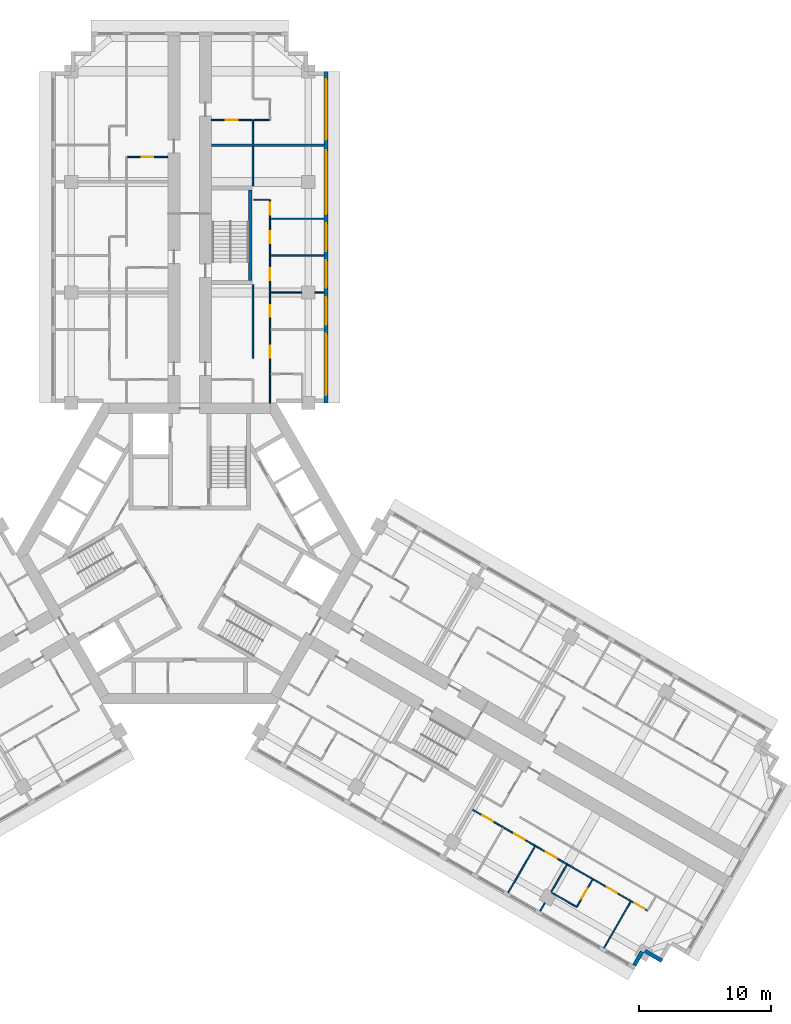
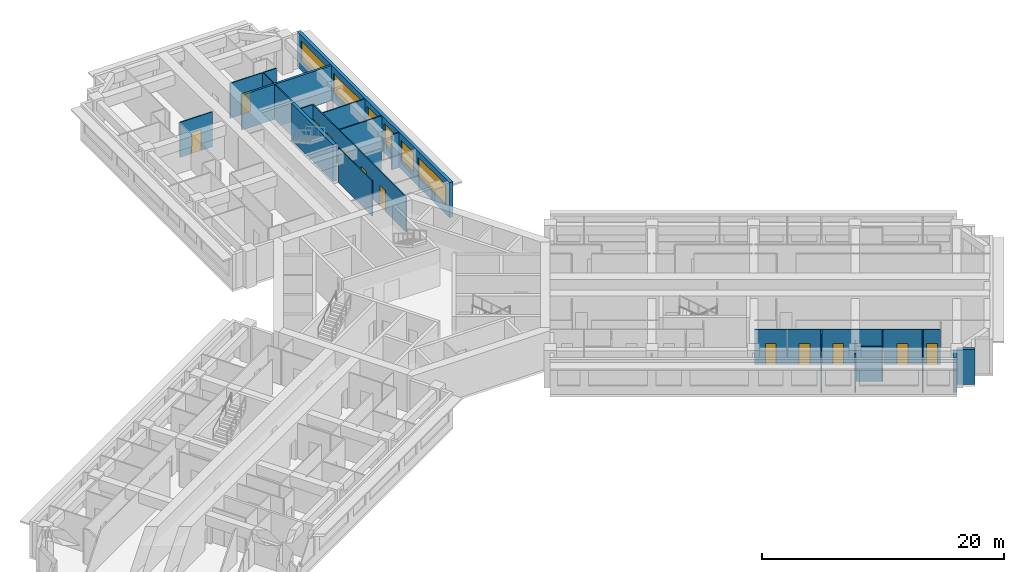
# One storey, part 10 of 14: 24 walls, 13 doors, 6 windows, 19 openings.
"""IFC4 building model written with IfcOpenShell, lengths in metres."""

from ifc_helpers import new_model, si_unit, direction, frame, frame_2d, origin, place, context, subcontext, project, spatial, rectangle, extrude, material, layer, layer_set, type_object, element, fill, save


model = new_model("IFC4")

# Units and contexts
model_context = context("Model", 3, precision=1e-05, world=origin(), true_north=direction((0.0, 1.0)))
body_context = subcontext(model_context, "Body", "Model", "MODEL_VIEW")
ifc_project = project(units=[si_unit("LENGTHUNIT", "METRE"), si_unit("AREAUNIT", "SQUARE_METRE"), si_unit("VOLUMEUNIT", "CUBIC_METRE"), si_unit("PLANEANGLEUNIT", "RADIAN"), si_unit("MASSUNIT", "GRAM", prefix="KILO")], contexts=[model_context])

# Site, building, storey
site_placement = place(None, origin())
site = spatial("IfcSite", under=ifc_project, at=site_placement, CompositionType="ELEMENT")
building_placement = place(site_placement, origin())
building = spatial("IfcBuilding", under=site, at=building_placement, Name="Impinga Residences", CompositionType="ELEMENT")
storey_placement = place(building_placement, frame((0.0, 0.0, 124.75)))
storey = spatial("IfcBuildingStorey", under=building, at=storey_placement, Name="L30", CompositionType="ELEMENT", Elevation=124.75)

# Wall, openings, windows
ifc_material_1 = material(Name="Terracotta rainscreen on blockwork", Category="masonry")
ifc_layer_1 = layer(ifc_material_1, 0.300048828125)
ifc_layer_set_1 = layer_set([ifc_layer_1], Name="EW1 external wall, terracotta rainscreen on blockwork 300")
wall_type_1 = type_object("IfcWallType", Name="EW1 external wall, terracotta rainscreen on blockwork 300", PredefinedType="SOLIDWALL", material=ifc_layer_set_1)
wall_1_placement = place(storey_placement, frame((10.35009765625, 36.631591796875, 0.0), z_axis=(0.0, 0.0, 1.0), x_axis=(0.0, -1.0, 0.0)))
wall_1 = element("IfcWall", 1, at=wall_1_placement, inside=storey, type_object=wall_type_1, Name="External wall EW1 L30", PredefinedType="SOLIDWALL", context=body_context, shape_type="SweptSolid", body=[
    extrude(rectangle(XDim=25.199951171875, YDim=0.300048828125, at=frame_2d((12.60009765625, 0.0))), origin(), (0.0, 0.0, 1.0), 3.530029296875),
])
opening_1_placement = place(wall_1_placement, frame((0.60009765625, 0.0, 0.89990234375)))
opening_1 = element("IfcOpeningElement", 2, at=opening_1_placement, cuts=wall_1, Name="Opening W3", PredefinedType="OPENING", context=body_context, shape_type="SweptSolid", body=[
    extrude(rectangle(XDim=4.60009765625, YDim=2.050048828125, at=frame_2d((2.300048828125, 1.02490234375))), frame((0.0, 0.159912109375, 0.0), z_axis=(0.0, -1.0, 0.0), x_axis=(1.0, 0.0, 0.0)), (0.0, 0.0, 1.0), 0.320068359375),
])
opening_2_placement = place(wall_1_placement, frame((6.0, 0.0, 0.89990234375)))
opening_2 = element("IfcOpeningElement", 3, at=opening_2_placement, cuts=wall_1, Name="Opening W6", PredefinedType="OPENING", context=body_context, shape_type="SweptSolid", body=[
    extrude(rectangle(XDim=4.85009765625, YDim=2.050048828125, at=frame_2d((2.425048828125, 1.02490234375))), frame((0.0, 0.159912109375, 0.0), z_axis=(0.0, -1.0, 0.0), x_axis=(1.0, 0.0, 0.0)), (0.0, 0.0, 1.0), 0.320068359375),
])
opening_3_placement = place(wall_1_placement, frame((11.550048828125, 0.0, 0.89990234375)))
opening_3 = element("IfcOpeningElement", 4, at=opening_3_placement, cuts=wall_1, Name="Opening W9", PredefinedType="OPENING", context=body_context, shape_type="SweptSolid", body=[
    extrude(rectangle(XDim=2.10009765625, YDim=2.050048828125, at=frame_2d((1.050048828125, 1.02490234375))), frame((0.0, 0.159912109375, 0.0), z_axis=(0.0, -1.0, 0.0), x_axis=(1.0, 0.0, 0.0)), (0.0, 0.0, 1.0), 0.320068359375),
])
opening_4_placement = place(wall_1_placement, frame((14.35009765625, 0.0, 0.89990234375)))
opening_4 = element("IfcOpeningElement", 5, at=opening_4_placement, cuts=wall_1, Name="Opening W9", PredefinedType="OPENING", context=body_context, shape_type="SweptSolid", body=[
    extrude(rectangle(XDim=2.10009765625, YDim=2.050048828125, at=frame_2d((1.050048828125, 1.02490234375))), frame((0.0, 0.159912109375, 0.0), z_axis=(0.0, -1.0, 0.0), x_axis=(1.0, 0.0, 0.0)), (0.0, 0.0, 1.0), 0.320068359375),
])
opening_5_placement = place(wall_1_placement, frame((17.14990234375, 0.0, 0.89990234375)))
opening_5 = element("IfcOpeningElement", 6, at=opening_5_placement, cuts=wall_1, Name="Opening W9", PredefinedType="OPENING", context=body_context, shape_type="SweptSolid", body=[
    extrude(rectangle(XDim=2.10009765625, YDim=2.050048828125, at=frame_2d((1.050048828125, 1.02490234375))), frame((0.0, 0.159912109375, 0.0), z_axis=(0.0, -1.0, 0.0), x_axis=(1.0, 0.0, 0.0)), (0.0, 0.0, 1.0), 0.320068359375),
])
opening_6_placement = place(wall_1_placement, frame((19.949951171875, 0.0, 0.89990234375)))
opening_6 = element("IfcOpeningElement", 7, at=opening_6_placement, cuts=wall_1, Name="Opening W10", PredefinedType="OPENING", context=body_context, shape_type="SweptSolid", body=[
    extrude(rectangle(XDim=4.64990234375, YDim=2.050048828125, at=frame_2d((2.324951171875, 1.02490234375))), frame((0.0, 0.159912109375, 0.0), z_axis=(0.0, -1.0, 0.0), x_axis=(1.0, 0.0, 0.0)), (0.0, 0.0, 1.0), 0.320068359375),
])
ifc_material_2 = material(Name="Aluminium window, clear double glazing", Category="aluminium")
window_type_1 = type_object("IfcWindowType", Name="W10 ribbon window 4650x2050", PartitioningType="SINGLE_PANEL", PredefinedType="WINDOW", material=ifc_material_2)
window_1_placement = place(opening_6_placement, origin())
window_1 = element("IfcWindow", 8, at=window_1_placement, inside=storey, type_object=window_type_1, Name="Window L30", OverallHeight=2.050048828125, OverallWidth=4.64990234375, PartitioningType="SINGLE_PANEL", PredefinedType="WINDOW", context=body_context, shape_type="SweptSolid", body=[
    extrude(rectangle(XDim=4.64990234375, YDim=2.050048828125, at=frame_2d((2.324951171875, 1.02490234375))), frame((0.0, 0.030029296875, 0.0), z_axis=(0.0, -1.0, 0.0), x_axis=(1.0, 0.0, 0.0)), (0.0, 0.0, 1.0), 0.06005859375),
])
fill(opening_6, window_1)
window_type_2 = type_object("IfcWindowType", Name="W3 ribbon window 4600x2050", PartitioningType="SINGLE_PANEL", PredefinedType="WINDOW", material=ifc_material_2)
window_2_placement = place(opening_1_placement, origin())
window_2 = element("IfcWindow", 9, at=window_2_placement, inside=storey, type_object=window_type_2, Name="Window L30", OverallHeight=2.050048828125, OverallWidth=4.60009765625, PartitioningType="SINGLE_PANEL", PredefinedType="WINDOW", context=body_context, shape_type="SweptSolid", body=[
    extrude(rectangle(XDim=4.60009765625, YDim=2.050048828125, at=frame_2d((2.300048828125, 1.02490234375))), frame((0.0, 0.030029296875, 0.0), z_axis=(0.0, -1.0, 0.0), x_axis=(1.0, 0.0, 0.0)), (0.0, 0.0, 1.0), 0.06005859375),
])
fill(opening_1, window_2)
window_type_3 = type_object("IfcWindowType", Name="W6 ribbon window 4850x2050", PartitioningType="SINGLE_PANEL", PredefinedType="WINDOW", material=ifc_material_2)
window_3_placement = place(opening_2_placement, origin())
window_3 = element("IfcWindow", 10, at=window_3_placement, inside=storey, type_object=window_type_3, Name="Window L30", OverallHeight=2.050048828125, OverallWidth=4.85009765625, PartitioningType="SINGLE_PANEL", PredefinedType="WINDOW", context=body_context, shape_type="SweptSolid", body=[
    extrude(rectangle(XDim=4.85009765625, YDim=2.050048828125, at=frame_2d((2.425048828125, 1.02490234375))), frame((0.0, 0.030029296875, 0.0), z_axis=(0.0, -1.0, 0.0), x_axis=(1.0, 0.0, 0.0)), (0.0, 0.0, 1.0), 0.06005859375),
])
fill(opening_2, window_3)
window_type_4 = type_object("IfcWindowType", Name="W9 ribbon window 2100x2050", PartitioningType="SINGLE_PANEL", PredefinedType="WINDOW", material=ifc_material_2)
window_4_placement = place(opening_3_placement, origin())
window_4 = element("IfcWindow", 11, at=window_4_placement, inside=storey, type_object=window_type_4, Name="Window L30", OverallHeight=2.050048828125, OverallWidth=2.10009765625, PartitioningType="SINGLE_PANEL", PredefinedType="WINDOW", context=body_context, shape_type="SweptSolid", body=[
    extrude(rectangle(XDim=2.10009765625, YDim=2.050048828125, at=frame_2d((1.050048828125, 1.02490234375))), frame((0.0, 0.030029296875, 0.0), z_axis=(0.0, -1.0, 0.0), x_axis=(1.0, 0.0, 0.0)), (0.0, 0.0, 1.0), 0.06005859375),
])
fill(opening_3, window_4)
window_5_placement = place(opening_4_placement, origin())
window_5 = element("IfcWindow", 12, at=window_5_placement, inside=storey, type_object=window_type_4, Name="Window L30", OverallHeight=2.050048828125, OverallWidth=2.10009765625, PartitioningType="SINGLE_PANEL", PredefinedType="WINDOW", context=body_context, shape_type="SweptSolid", body=[
    extrude(rectangle(XDim=2.10009765625, YDim=2.050048828125, at=frame_2d((1.050048828125, 1.02490234375))), frame((0.0, 0.030029296875, 0.0), z_axis=(0.0, -1.0, 0.0), x_axis=(1.0, 0.0, 0.0)), (0.0, 0.0, 1.0), 0.06005859375),
])
fill(opening_4, window_5)
window_6_placement = place(opening_5_placement, origin())
window_6 = element("IfcWindow", 13, at=window_6_placement, inside=storey, type_object=window_type_4, Name="Window L30", OverallHeight=2.050048828125, OverallWidth=2.10009765625, PartitioningType="SINGLE_PANEL", PredefinedType="WINDOW", context=body_context, shape_type="SweptSolid", body=[
    extrude(rectangle(XDim=2.10009765625, YDim=2.050048828125, at=frame_2d((1.050048828125, 1.02490234375))), frame((0.0, 0.030029296875, 0.0), z_axis=(0.0, -1.0, 0.0), x_axis=(1.0, 0.0, 0.0)), (0.0, 0.0, 1.0), 0.06005859375),
])
fill(opening_5, window_6)

# Walls
wall_2_placement = place(storey_placement, frame((35.87255859375, -30.93017578125, 0.0), z_axis=(0.0, 0.0, 1.0), x_axis=(-0.866031096941, 0.499990139034, 0.0)))
element("IfcWall", 14, at=wall_2_placement, inside=storey, type_object=wall_type_1, Name="External wall EW1 L30", PredefinedType="SOLIDWALL", context=body_context, shape_type="SweptSolid", body=[
    extrude(rectangle(XDim=1.5, YDim=0.300048828125, at=frame_2d((0.75, 0.0))), origin(), (0.0, 0.0, 1.0), 3.530029296875),
])
wall_3_placement = place(storey_placement, frame((34.365966796875, -30.2392578125, 0.0), z_axis=(0.0, 0.0, 1.0), x_axis=(-0.499940577336, -0.866059708757, 0.0)))
element("IfcWall", 15, at=wall_3_placement, inside=storey, type_object=wall_type_1, Name="External wall EW1 L30", PredefinedType="SOLIDWALL", context=body_context, shape_type="SweptSolid", body=[
    extrude(rectangle(XDim=1.195068359375, YDim=0.300048828125, at=frame_2d((0.59765625, 0.0))), origin(), (0.0, 0.0, 1.0), 3.530029296875),
])

# Wall, opening, door
ifc_material_3 = material(Name="Gypsum board on steel studs", Category="steel")
ifc_layer_2 = layer(ifc_material_3, 0.10009765625)
ifc_layer_set_2 = layer_set([ifc_layer_2], Name="Gypsum board on steel studs")
wall_type_2 = type_object("IfcWallType", Name="IP1 partition 100", PredefinedType="PARTITIONING", material=ifc_layer_set_2)
wall_4_placement = place(storey_placement, frame((-1.64990234375, 30.131591796875, 0.0), z_axis=(0.0, 0.0, 1.0), x_axis=(-1.0, 0.0, 0.0)))
wall_4 = element("IfcWall", 16, at=wall_4_placement, inside=storey, type_object=wall_type_2, Name="Partition L30-NA3:IB1", PredefinedType="PARTITIONING", context=body_context, shape_type="SweptSolid", body=[
    extrude(rectangle(XDim=3.10009765625, YDim=0.10009765625, at=frame_2d((1.550048828125, 0.0))), origin(), (0.0, 0.0, 1.0), 3.530029296875),
])
opening_7_placement = place(wall_4_placement, frame((1.10009765625, 0.0, 0.0)))
opening_7 = element("IfcOpeningElement", 17, at=opening_7_placement, cuts=wall_4, Name="Opening D2", PredefinedType="OPENING", context=body_context, shape_type="SweptSolid", body=[
    extrude(rectangle(XDim=0.89990234375, YDim=2.10009765625, at=frame_2d((0.449951171875, 1.050048828125))), frame((0.0, 0.06005859375, 0.0), z_axis=(0.0, -1.0, 0.0), x_axis=(1.0, 0.0, 0.0)), (0.0, 0.0, 1.0), 0.1201171875),
])
ifc_material_4 = material(Name="Timber door set", Category="wood")
door_type = type_object("IfcDoorType", Name="D2 internal door 900x2100", OperationType="SINGLE_SWING_LEFT", PredefinedType="DOOR", material=ifc_material_4)
door_1_placement = place(opening_7_placement, origin())
door_1 = element("IfcDoor", 18, at=door_1_placement, inside=storey, type_object=door_type, Name="Apartment L30-NA3 bathroom door", OperationType="SINGLE_SWING_LEFT", OverallHeight=2.10009765625, OverallWidth=0.89990234375, PredefinedType="DOOR", context=body_context, shape_type="SweptSolid", body=[
    extrude(rectangle(XDim=0.89990234375, YDim=2.10009765625, at=frame_2d((0.449951171875, 1.050048828125))), frame((0.0, 0.02490234375, 0.0), z_axis=(0.0, -1.0, 0.0), x_axis=(1.0, 0.0, 0.0)), (0.0, 0.0, 1.0), 0.050048828125),
])
fill(opening_7, door_1)

# Walls
wall_5_placement = place(storey_placement, frame((4.800048828125, 14.83154296875, 0.0), z_axis=(0.0, 0.0, 1.0), x_axis=(0.0, 1.0, 0.0)))
element("IfcWall", 19, at=wall_5_placement, inside=storey, type_object=wall_type_2, Name="Partition L30-NF1:DIV1", PredefinedType="PARTITIONING", context=body_context, shape_type="SweptSolid", body=[
    extrude(rectangle(XDim=5.60009765625, YDim=0.10009765625, at=frame_2d((2.800048828125, 0.0))), origin(), (0.0, 0.0, 1.0), 3.530029296875),
])
wall_6_placement = place(storey_placement, frame((4.800048828125, 27.931640625, 0.0), z_axis=(0.0, 0.0, 1.0), x_axis=(0.0, 1.0, 0.0)))
element("IfcWall", 20, at=wall_6_placement, inside=storey, type_object=wall_type_2, Name="Partition L30-NF1:DIV2", PredefinedType="PARTITIONING", context=body_context, shape_type="SweptSolid", body=[
    extrude(rectangle(XDim=3.0, YDim=0.10009765625, at=frame_2d((1.5, 0.0))), origin(), (0.0, 0.0, 1.0), 3.530029296875),
])

# Wall, openings, doors
wall_7_placement = place(storey_placement, frame((6.10009765625, 11.431640625, 0.0), z_axis=(0.0, 0.0, 1.0), x_axis=(0.0, 1.0, 0.0)))
wall_7 = element("IfcWall", 21, at=wall_7_placement, inside=storey, type_object=wall_type_2, Name="Partition L30-NF1:STRIP", PredefinedType="PARTITIONING", context=body_context, shape_type="SweptSolid", body=[
    extrude(rectangle(XDim=15.449951171875, YDim=0.10009765625, at=frame_2d((7.72509765625, 0.0))), origin(), (0.0, 0.0, 1.0), 3.530029296875),
])
opening_8_placement = place(wall_7_placement, frame((3.449951171875, 0.0, 0.0)))
opening_8 = element("IfcOpeningElement", 22, at=opening_8_placement, cuts=wall_7, Name="Opening D2", PredefinedType="OPENING", context=body_context, shape_type="SweptSolid", body=[
    extrude(rectangle(XDim=0.89990234375, YDim=2.10009765625, at=frame_2d((0.449951171875, 1.050048828125))), frame((0.0, 0.06005859375, 0.0), z_axis=(0.0, -1.0, 0.0), x_axis=(1.0, 0.0, 0.0)), (0.0, 0.0, 1.0), 0.1201171875),
])
opening_9_placement = place(wall_7_placement, frame((6.550048828125, 0.0, 0.0)))
opening_9 = element("IfcOpeningElement", 23, at=opening_9_placement, cuts=wall_7, Name="Opening D2", PredefinedType="OPENING", context=body_context, shape_type="SweptSolid", body=[
    extrude(rectangle(XDim=0.89990234375, YDim=2.10009765625, at=frame_2d((0.449951171875, 1.050048828125))), frame((0.0, 0.06005859375, 0.0), z_axis=(0.0, -1.0, 0.0), x_axis=(1.0, 0.0, 0.0)), (0.0, 0.0, 1.0), 0.1201171875),
])
opening_10_placement = place(wall_7_placement, frame((9.35009765625, 0.0, 0.0)))
opening_10 = element("IfcOpeningElement", 24, at=opening_10_placement, cuts=wall_7, Name="Opening D2", PredefinedType="OPENING", context=body_context, shape_type="SweptSolid", body=[
    extrude(rectangle(XDim=0.89990234375, YDim=2.10009765625, at=frame_2d((0.449951171875, 1.050048828125))), frame((0.0, 0.06005859375, 0.0), z_axis=(0.0, -1.0, 0.0), x_axis=(1.0, 0.0, 0.0)), (0.0, 0.0, 1.0), 0.1201171875),
])
opening_11_placement = place(wall_7_placement, frame((12.14990234375, 0.0, 0.0)))
opening_11 = element("IfcOpeningElement", 25, at=opening_11_placement, cuts=wall_7, Name="Opening D2", PredefinedType="OPENING", context=body_context, shape_type="SweptSolid", body=[
    extrude(rectangle(XDim=0.89990234375, YDim=2.10009765625, at=frame_2d((0.449951171875, 1.050048828125))), frame((0.0, 0.06005859375, 0.0), z_axis=(0.0, -1.0, 0.0), x_axis=(1.0, 0.0, 0.0)), (0.0, 0.0, 1.0), 0.1201171875),
])
opening_12_placement = place(wall_7_placement, frame((14.300048828125, 0.0, 0.0)))
opening_12 = element("IfcOpeningElement", 26, at=opening_12_placement, cuts=wall_7, Name="Opening D2", PredefinedType="OPENING", context=body_context, shape_type="SweptSolid", body=[
    extrude(rectangle(XDim=0.89990234375, YDim=2.10009765625, at=frame_2d((0.449951171875, 1.050048828125))), frame((0.0, 0.06005859375, 0.0), z_axis=(0.0, -1.0, 0.0), x_axis=(1.0, 0.0, 0.0)), (0.0, 0.0, 1.0), 0.1201171875),
])
door_2_placement = place(opening_8_placement, origin())
door_2 = element("IfcDoor", 27, at=door_2_placement, inside=storey, type_object=door_type, Name="Apartment L30-NF1 room door", OperationType="SINGLE_SWING_LEFT", OverallHeight=2.10009765625, OverallWidth=0.89990234375, PredefinedType="DOOR", context=body_context, shape_type="SweptSolid", body=[
    extrude(rectangle(XDim=0.89990234375, YDim=2.10009765625, at=frame_2d((0.449951171875, 1.050048828125))), frame((0.0, 0.02490234375, 0.0), z_axis=(0.0, -1.0, 0.0), x_axis=(1.0, 0.0, 0.0)), (0.0, 0.0, 1.0), 0.050048828125),
])
fill(opening_8, door_2)
door_3_placement = place(opening_9_placement, origin())
door_3 = element("IfcDoor", 28, at=door_3_placement, inside=storey, type_object=door_type, Name="Apartment L30-NF1 room door", OperationType="SINGLE_SWING_LEFT", OverallHeight=2.10009765625, OverallWidth=0.89990234375, PredefinedType="DOOR", context=body_context, shape_type="SweptSolid", body=[
    extrude(rectangle(XDim=0.89990234375, YDim=2.10009765625, at=frame_2d((0.449951171875, 1.050048828125))), frame((0.0, 0.02490234375, 0.0), z_axis=(0.0, -1.0, 0.0), x_axis=(1.0, 0.0, 0.0)), (0.0, 0.0, 1.0), 0.050048828125),
])
fill(opening_9, door_3)
door_4_placement = place(opening_10_placement, origin())
door_4 = element("IfcDoor", 29, at=door_4_placement, inside=storey, type_object=door_type, Name="Apartment L30-NF1 room door", OperationType="SINGLE_SWING_RIGHT", OverallHeight=2.10009765625, OverallWidth=0.89990234375, PredefinedType="DOOR", context=body_context, shape_type="SweptSolid", body=[
    extrude(rectangle(XDim=0.89990234375, YDim=2.10009765625, at=frame_2d((0.449951171875, 1.050048828125))), frame((0.0, 0.02490234375, 0.0), z_axis=(0.0, -1.0, 0.0), x_axis=(1.0, 0.0, 0.0)), (0.0, 0.0, 1.0), 0.050048828125),
])
fill(opening_10, door_4)
door_5_placement = place(opening_11_placement, origin())
door_5 = element("IfcDoor", 30, at=door_5_placement, inside=storey, type_object=door_type, Name="Apartment L30-NF1 room door", OperationType="SINGLE_SWING_RIGHT", OverallHeight=2.10009765625, OverallWidth=0.89990234375, PredefinedType="DOOR", context=body_context, shape_type="SweptSolid", body=[
    extrude(rectangle(XDim=0.89990234375, YDim=2.10009765625, at=frame_2d((0.449951171875, 1.050048828125))), frame((0.0, 0.02490234375, 0.0), z_axis=(0.0, -1.0, 0.0), x_axis=(1.0, 0.0, 0.0)), (0.0, 0.0, 1.0), 0.050048828125),
])
fill(opening_11, door_5)
door_6_placement = place(opening_12_placement, origin())
door_6 = element("IfcDoor", 31, at=door_6_placement, inside=storey, type_object=door_type, Name="Apartment L30-NF1 room door", OperationType="SINGLE_SWING_RIGHT", OverallHeight=2.10009765625, OverallWidth=0.89990234375, PredefinedType="DOOR", context=body_context, shape_type="SweptSolid", body=[
    extrude(rectangle(XDim=0.89990234375, YDim=2.10009765625, at=frame_2d((0.449951171875, 1.050048828125))), frame((0.0, 0.02490234375, 0.0), z_axis=(0.0, -1.0, 0.0), x_axis=(1.0, 0.0, 0.0)), (0.0, 0.0, 1.0), 0.050048828125),
])
fill(opening_12, door_6)

# Walls
wall_8_placement = place(storey_placement, frame((4.85009765625, 26.881591796875, 0.0), z_axis=(0.0, 0.0, 1.0), x_axis=(1.0, 0.0, 0.0)))
element("IfcWall", 32, at=wall_8_placement, inside=storey, type_object=wall_type_2, Name="Partition L30-NF1:SE1", PredefinedType="PARTITIONING", context=body_context, shape_type="SweptSolid", body=[
    extrude(rectangle(XDim=1.199951171875, YDim=0.10009765625, at=frame_2d((0.60009765625, 0.0))), origin(), (0.0, 0.0, 1.0), 3.530029296875),
])
wall_9_placement = place(storey_placement, frame((6.14990234375, 19.83154296875, 0.0), z_axis=(0.0, 0.0, 1.0), x_axis=(1.0, 0.0, 0.0)))
element("IfcWall", 33, at=wall_9_placement, inside=storey, type_object=wall_type_2, Name="Partition L30-NF1:OB2", PredefinedType="PARTITIONING", context=body_context, shape_type="SweptSolid", body=[
    extrude(rectangle(XDim=2.35009765625, YDim=0.10009765625, at=frame_2d((1.175048828125, 0.0))), origin(), (0.0, 0.0, 1.0), 2.47998046875),
])
wall_10_placement = place(storey_placement, frame((9.5, 19.83154296875, 0.0), z_axis=(0.0, 0.0, 1.0), x_axis=(1.0, 0.0, 0.0)))
element("IfcWall", 34, at=wall_10_placement, inside=storey, type_object=wall_type_2, Name="Partition L30-NF1:OB2b", PredefinedType="PARTITIONING", context=body_context, shape_type="SweptSolid", body=[
    extrude(rectangle(XDim=0.699951171875, YDim=0.10009765625, at=frame_2d((0.35009765625, 0.0))), origin(), (0.0, 0.0, 1.0), 3.530029296875),
])
for number, where, z_axis, x_axis, name in (
    (35, (6.14990234375, 22.631591796875, 0.0), (0.0, 0.0, 1.0), (1.0, 0.0, 0.0), "Partition L30-NF1:OB3"),
    (36, (6.14990234375, 25.431640625, 0.0), (0.0, 0.0, 1.0), (1.0, 0.0, 0.0), "Partition L30-NF1:OB4"),
):
    element("IfcWall", number, at=place(storey_placement, frame(where, z_axis=z_axis, x_axis=x_axis)), inside=storey, type_object=wall_type_2, Name=name, PredefinedType="PARTITIONING", context=body_context, shape_type="SweptSolid", body=[
        extrude(rectangle(XDim=4.050048828125, YDim=0.10009765625, at=frame_2d((2.02490234375, 0.0))), origin(), (0.0, 0.0, 1.0), 3.530029296875),
    ])
wall_11_placement = place(storey_placement, frame((4.800048828125, 31.131591796875, 0.0), z_axis=(0.0, 0.0, 1.0), x_axis=(0.0, 1.0, 0.0)))
element("IfcWall", 37, at=wall_11_placement, inside=storey, type_object=wall_type_2, Name="Partition L30-NF2:DIV0", PredefinedType="PARTITIONING", context=body_context, shape_type="SweptSolid", body=[
    extrude(rectangle(XDim=1.800048828125, YDim=0.10009765625, at=frame_2d((0.89990234375, 0.0))), origin(), (0.0, 0.0, 1.0), 3.530029296875),
])
wall_12_placement = place(storey_placement, frame((4.85009765625, 32.931640625, 0.0), z_axis=(0.0, 0.0, 1.0), x_axis=(1.0, 0.0, 0.0)))
element("IfcWall", 38, at=wall_12_placement, inside=storey, type_object=wall_type_2, Name="Partition L30-NF2:SE0", PredefinedType="PARTITIONING", context=body_context, shape_type="SweptSolid", body=[
    extrude(rectangle(XDim=1.199951171875, YDim=0.10009765625, at=frame_2d((0.60009765625, 0.0))), origin(), (0.0, 0.0, 1.0), 3.530029296875),
])

# Wall, opening, door
wall_13_placement = place(storey_placement, frame((1.64990234375, 32.931640625, 0.0), z_axis=(0.0, 0.0, 1.0), x_axis=(1.0, 0.0, 0.0)))
wall_13 = element("IfcWall", 39, at=wall_13_placement, inside=storey, type_object=wall_type_2, Name="Partition L30-NF2:IB1", PredefinedType="PARTITIONING", context=body_context, shape_type="SweptSolid", body=[
    extrude(rectangle(XDim=3.10009765625, YDim=0.10009765625, at=frame_2d((1.550048828125, 0.0))), origin(), (0.0, 0.0, 1.0), 3.530029296875),
])
opening_13_placement = place(wall_13_placement, frame((1.10009765625, 0.0, 0.0)))
opening_13 = element("IfcOpeningElement", 40, at=opening_13_placement, cuts=wall_13, Name="Opening D2", PredefinedType="OPENING", context=body_context, shape_type="SweptSolid", body=[
    extrude(rectangle(XDim=0.89990234375, YDim=2.10009765625, at=frame_2d((0.449951171875, 1.050048828125))), frame((0.0, 0.06005859375, 0.0), z_axis=(0.0, -1.0, 0.0), x_axis=(1.0, 0.0, 0.0)), (0.0, 0.0, 1.0), 0.1201171875),
])
door_7_placement = place(opening_13_placement, origin())
door_7 = element("IfcDoor", 41, at=door_7_placement, inside=storey, type_object=door_type, Name="Apartment L30-NF2 bathroom door", OperationType="SINGLE_SWING_LEFT", OverallHeight=2.10009765625, OverallWidth=0.89990234375, PredefinedType="DOOR", context=body_context, shape_type="SweptSolid", body=[
    extrude(rectangle(XDim=0.89990234375, YDim=2.10009765625, at=frame_2d((0.449951171875, 1.050048828125))), frame((0.0, 0.02490234375, 0.0), z_axis=(0.0, -1.0, 0.0), x_axis=(1.0, 0.0, 0.0)), (0.0, 0.0, 1.0), 0.050048828125),
])
fill(opening_13, door_7)

# Wall, openings, doors
wall_14_placement = place(storey_placement, frame((21.48583984375, -19.448486328125, 0.0), z_axis=(0.0, 0.0, 1.0), x_axis=(0.866023490266, -0.500003314297, 0.0)))
wall_14 = element("IfcWall", 42, at=wall_14_placement, inside=storey, type_object=wall_type_2, Name="Partition L30-EF2:STRIP", PredefinedType="PARTITIONING", context=body_context, shape_type="SweptSolid", body=[
    extrude(rectangle(XDim=15.35009765625, YDim=0.10009765625, at=frame_2d((7.675048828125, 0.0))), origin(), (0.0, 0.0, 1.0), 3.530029296875),
])
opening_14_placement = place(wall_14_placement, frame((0.875, 0.0, 0.0)))
opening_14 = element("IfcOpeningElement", 43, at=opening_14_placement, cuts=wall_14, Name="Opening D2", PredefinedType="OPENING", context=body_context, shape_type="SweptSolid", body=[
    extrude(rectangle(XDim=0.89990234375, YDim=2.10009765625, at=frame_2d((0.449951171875, 1.050048828125))), frame((0.0, 0.06005859375, 0.0), z_axis=(0.0, -1.0, 0.0), x_axis=(1.0, 0.0, 0.0)), (0.0, 0.0, 1.0), 0.1201171875),
])
opening_15_placement = place(wall_14_placement, frame((3.64990234375, 0.0, 0.0)))
opening_15 = element("IfcOpeningElement", 44, at=opening_15_placement, cuts=wall_14, Name="Opening D2", PredefinedType="OPENING", context=body_context, shape_type="SweptSolid", body=[
    extrude(rectangle(XDim=0.89990234375, YDim=2.10009765625, at=frame_2d((0.449951171875, 1.050048828125))), frame((0.0, 0.06005859375, 0.0), z_axis=(0.0, -1.0, 0.0), x_axis=(1.0, 0.0, 0.0)), (0.0, 0.0, 1.0), 0.1201171875),
])
opening_16_placement = place(wall_14_placement, frame((6.449951171875, 0.0, 0.0)))
opening_16 = element("IfcOpeningElement", 45, at=opening_16_placement, cuts=wall_14, Name="Opening D2", PredefinedType="OPENING", context=body_context, shape_type="SweptSolid", body=[
    extrude(rectangle(XDim=0.89990234375, YDim=2.10009765625, at=frame_2d((0.449951171875, 1.050048828125))), frame((0.0, 0.06005859375, 0.0), z_axis=(0.0, -1.0, 0.0), x_axis=(1.0, 0.0, 0.0)), (0.0, 0.0, 1.0), 0.1201171875),
])
opening_17_placement = place(wall_14_placement, frame((11.77490234375, 0.0, 0.0)))
opening_17 = element("IfcOpeningElement", 46, at=opening_17_placement, cuts=wall_14, Name="Opening D2", PredefinedType="OPENING", context=body_context, shape_type="SweptSolid", body=[
    extrude(rectangle(XDim=0.89990234375, YDim=2.10009765625, at=frame_2d((0.449951171875, 1.050048828125))), frame((0.0, 0.06005859375, 0.0), z_axis=(0.0, -1.0, 0.0), x_axis=(1.0, 0.0, 0.0)), (0.0, 0.0, 1.0), 0.1201171875),
])
opening_18_placement = place(wall_14_placement, frame((14.199951171875, 0.0, 0.0)))
opening_18 = element("IfcOpeningElement", 47, at=opening_18_placement, cuts=wall_14, Name="Opening D2", PredefinedType="OPENING", context=body_context, shape_type="SweptSolid", body=[
    extrude(rectangle(XDim=0.89990234375, YDim=2.10009765625, at=frame_2d((0.449951171875, 1.050048828125))), frame((0.0, 0.06005859375, 0.0), z_axis=(0.0, -1.0, 0.0), x_axis=(1.0, 0.0, 0.0)), (0.0, 0.0, 1.0), 0.1201171875),
])
door_8_placement = place(opening_14_placement, origin())
door_8 = element("IfcDoor", 48, at=door_8_placement, inside=storey, type_object=door_type, Name="Apartment L30-EF2 room door", OperationType="SINGLE_SWING_LEFT", OverallHeight=2.10009765625, OverallWidth=0.89990234375, PredefinedType="DOOR", context=body_context, shape_type="SweptSolid", body=[
    extrude(rectangle(XDim=0.89990234375, YDim=2.10009765625, at=frame_2d((0.449951171875, 1.050048828125))), frame((0.0, 0.02490234375, 0.0), z_axis=(0.0, -1.0, 0.0), x_axis=(1.0, 0.0, 0.0)), (0.0, 0.0, 1.0), 0.050048828125),
])
fill(opening_14, door_8)
door_9_placement = place(opening_15_placement, origin())
door_9 = element("IfcDoor", 49, at=door_9_placement, inside=storey, type_object=door_type, Name="Apartment L30-EF2 room door", OperationType="SINGLE_SWING_LEFT", OverallHeight=2.10009765625, OverallWidth=0.89990234375, PredefinedType="DOOR", context=body_context, shape_type="SweptSolid", body=[
    extrude(rectangle(XDim=0.89990234375, YDim=2.10009765625, at=frame_2d((0.449951171875, 1.050048828125))), frame((0.0, 0.02490234375, 0.0), z_axis=(0.0, -1.0, 0.0), x_axis=(1.0, 0.0, 0.0)), (0.0, 0.0, 1.0), 0.050048828125),
])
fill(opening_15, door_9)
door_10_placement = place(opening_16_placement, origin())
door_10 = element("IfcDoor", 50, at=door_10_placement, inside=storey, type_object=door_type, Name="Apartment L30-EF2 room door", OperationType="SINGLE_SWING_LEFT", OverallHeight=2.10009765625, OverallWidth=0.89990234375, PredefinedType="DOOR", context=body_context, shape_type="SweptSolid", body=[
    extrude(rectangle(XDim=0.89990234375, YDim=2.10009765625, at=frame_2d((0.449951171875, 1.050048828125))), frame((0.0, 0.02490234375, 0.0), z_axis=(0.0, -1.0, 0.0), x_axis=(1.0, 0.0, 0.0)), (0.0, 0.0, 1.0), 0.050048828125),
])
fill(opening_16, door_10)
door_11_placement = place(opening_17_placement, origin())
door_11 = element("IfcDoor", 51, at=door_11_placement, inside=storey, type_object=door_type, Name="Apartment L30-EF2 room door", OperationType="SINGLE_SWING_RIGHT", OverallHeight=2.10009765625, OverallWidth=0.89990234375, PredefinedType="DOOR", context=body_context, shape_type="SweptSolid", body=[
    extrude(rectangle(XDim=0.89990234375, YDim=2.10009765625, at=frame_2d((0.449951171875, 1.050048828125))), frame((0.0, 0.02490234375, 0.0), z_axis=(0.0, -1.0, 0.0), x_axis=(1.0, 0.0, 0.0)), (0.0, 0.0, 1.0), 0.050048828125),
])
fill(opening_17, door_11)
door_12_placement = place(opening_18_placement, origin())
door_12 = element("IfcDoor", 52, at=door_12_placement, inside=storey, type_object=door_type, Name="Apartment L30-EF2 room door", OperationType="SINGLE_SWING_RIGHT", OverallHeight=2.10009765625, OverallWidth=0.89990234375, PredefinedType="DOOR", context=body_context, shape_type="SweptSolid", body=[
    extrude(rectangle(XDim=0.89990234375, YDim=2.10009765625, at=frame_2d((0.449951171875, 1.050048828125))), frame((0.0, 0.02490234375, 0.0), z_axis=(0.0, -1.0, 0.0), x_axis=(1.0, 0.0, 0.0)), (0.0, 0.0, 1.0), 0.050048828125),
])
fill(opening_18, door_12)

# Walls
wall_15_placement = place(storey_placement, frame((26.223876953125, -22.241943359375, 0.0), z_axis=(0.0, 0.0, 1.0), x_axis=(-0.499990325971, -0.866030989016, 0.0)))
element("IfcWall", 53, at=wall_15_placement, inside=storey, type_object=wall_type_2, Name="Partition L30-EF2:OB2", PredefinedType="PARTITIONING", context=body_context, shape_type="SweptSolid", body=[
    extrude(rectangle(XDim=4.0498046875, YDim=0.10009765625, at=frame_2d((2.02490234375, 0.0))), origin(), (0.0, 0.0, 1.0), 3.530029296875),
])
wall_16_placement = place(storey_placement, frame((28.64892578125, -23.641845703125, 0.0), z_axis=(0.0, 0.0, 1.0), x_axis=(-0.500016218704, -0.866016039709, 0.0)))
element("IfcWall", 54, at=wall_16_placement, inside=storey, type_object=wall_type_2, Name="Partition L30-EF2:OB3", PredefinedType="PARTITIONING", context=body_context, shape_type="SweptSolid", body=[
    extrude(rectangle(XDim=2.35009765625, YDim=0.10009765625, at=frame_2d((1.175048828125, 0.0))), origin(), (0.0, 0.0, 1.0), 2.47998046875),
])
wall_17_placement = place(storey_placement, frame((26.973876953125, -26.54296875, 0.0), z_axis=(0.0, 0.0, 1.0), x_axis=(-0.500114896893, -0.865959057869, 0.0)))
element("IfcWall", 55, at=wall_17_placement, inside=storey, type_object=wall_type_2, Name="Partition L30-EF2:OB3b", PredefinedType="PARTITIONING", context=body_context, shape_type="SweptSolid", body=[
    extrude(rectangle(XDim=0.699951171875, YDim=0.10009765625, at=frame_2d((0.35009765625, 0.0))), origin(), (0.0, 0.0, 1.0), 3.530029296875),
])
wall_18_placement = place(storey_placement, frame((33.49853515625, -26.44189453125, 0.0), z_axis=(0.0, 0.0, 1.0), x_axis=(-0.499990325971, -0.866030989016, 0.0)))
element("IfcWall", 56, at=wall_18_placement, inside=storey, type_object=wall_type_2, Name="Partition L30-EF2:OB4", PredefinedType="PARTITIONING", context=body_context, shape_type="SweptSolid", body=[
    extrude(rectangle(XDim=4.0498046875, YDim=0.10009765625, at=frame_2d((2.02490234375, 0.0))), origin(), (0.0, 0.0, 1.0), 3.530029296875),
])

# Wall, opening, door
wall_19_placement = place(storey_placement, frame((30.597412109375, -24.766845703125, 0.0), z_axis=(0.0, 0.0, 1.0), x_axis=(-0.500018594424, -0.866014668023, 0.0)))
wall_19 = element("IfcWall", 57, at=wall_19_placement, inside=storey, type_object=wall_type_2, Name="Partition L30-EF2:EN1", PredefinedType="PARTITIONING", context=body_context, shape_type="SweptSolid", body=[
    extrude(rectangle(XDim=2.4501953125, YDim=0.10009765625, at=frame_2d((1.22509765625, 0.0))), origin(), (0.0, 0.0, 1.0), 3.530029296875),
])
opening_19_placement = place(wall_19_placement, frame((0.75, 0.0, 0.0)))
opening_19 = element("IfcOpeningElement", 58, at=opening_19_placement, cuts=wall_19, Name="Opening D2", PredefinedType="OPENING", context=body_context, shape_type="SweptSolid", body=[
    extrude(rectangle(XDim=0.89990234375, YDim=2.10009765625, at=frame_2d((0.449951171875, 1.050048828125))), frame((0.0, 0.06005859375, 0.0), z_axis=(0.0, -1.0, 0.0), x_axis=(1.0, 0.0, 0.0)), (0.0, 0.0, 1.0), 0.1201171875),
])
door_13_placement = place(opening_19_placement, origin())
door_13 = element("IfcDoor", 59, at=door_13_placement, inside=storey, type_object=door_type, Name="Apartment L30-EF2 en-suite door", OperationType="SINGLE_SWING_LEFT", OverallHeight=2.10009765625, OverallWidth=0.89990234375, PredefinedType="DOOR", context=body_context, shape_type="SweptSolid", body=[
    extrude(rectangle(XDim=0.89990234375, YDim=2.10009765625, at=frame_2d((0.449951171875, 1.050048828125))), frame((0.0, 0.02490234375, 0.0), z_axis=(0.0, -1.0, 0.0), x_axis=(1.0, 0.0, 0.0)), (0.0, 0.0, 1.0), 0.050048828125),
])
fill(opening_19, door_13)

# Walls
wall_20_placement = place(storey_placement, frame((27.4921875, -25.745361328125, 0.0), z_axis=(0.0, 0.0, 1.0), x_axis=(0.866019166195, -0.500010803666, 0.0)))
element("IfcWall", 60, at=wall_20_placement, inside=storey, type_object=wall_type_2, Name="Partition L30-EF2:EN2", PredefinedType="PARTITIONING", context=body_context, shape_type="SweptSolid", body=[
    extrude(rectangle(XDim=2.14990234375, YDim=0.10009765625, at=frame_2d((1.074951171875, 0.0))), origin(), (0.0, 0.0, 1.0), 3.530029296875),
])
ifc_material_5 = material(Name="Concrete blockwork", Category="masonry")
ifc_layer_3 = layer(ifc_material_5, 0.199951171875)
ifc_layer_set_3 = layer_set([ifc_layer_3], Name="PW1 party wall between apartments 200")
wall_type_3 = type_object("IfcWallType", Name="PW1 party wall between apartments 200", PredefinedType="SOLIDWALL", material=ifc_layer_set_3)
wall_21_placement = place(storey_placement, frame((1.64990234375, 31.031494140625, 0.0), z_axis=(0.0, 0.0, 1.0), x_axis=(1.0, 0.0, 0.0)))
element("IfcWall", 61, at=wall_21_placement, inside=storey, type_object=wall_type_3, Name="Party wall between apartments L30-NF1:PARTY", PredefinedType="SOLIDWALL", context=body_context, shape_type="SweptSolid", body=[
    extrude(rectangle(XDim=8.550048828125, YDim=0.199951171875, at=frame_2d((4.27490234375, 0.0))), origin(), (0.0, 0.0, 1.0), 3.530029296875),
])
ifc_material_6 = material(Name="Concrete C60/75", Category="concrete")
ifc_layer_4 = layer(ifc_material_6, 0.300048828125)
ifc_layer_set_4 = layer_set([ifc_layer_4], Name="Concrete C60/75")
wall_type_4 = type_object("IfcWallType", Name="SE1 wing stair enclosure wall 300", PredefinedType="SOLIDWALL", material=ifc_layer_set_4)
wall_22_placement = place(storey_placement, frame((4.60009765625, 20.7314453125, 0.0), z_axis=(0.0, 0.0, 1.0), x_axis=(0.0, 1.0, 0.0)))
element("IfcWall", 62, at=wall_22_placement, inside=storey, type_object=wall_type_4, Name="Stair enclosure wall SE1 N OUT L30", PredefinedType="SOLIDWALL", context=body_context, shape_type="SweptSolid", body=[
    extrude(rectangle(XDim=6.900146484375, YDim=0.300048828125, at=frame_2d((3.4501953125, 0.0))), origin(), (0.0, 0.0, 1.0), 3.75),
])

save(model, "model.ifc")
